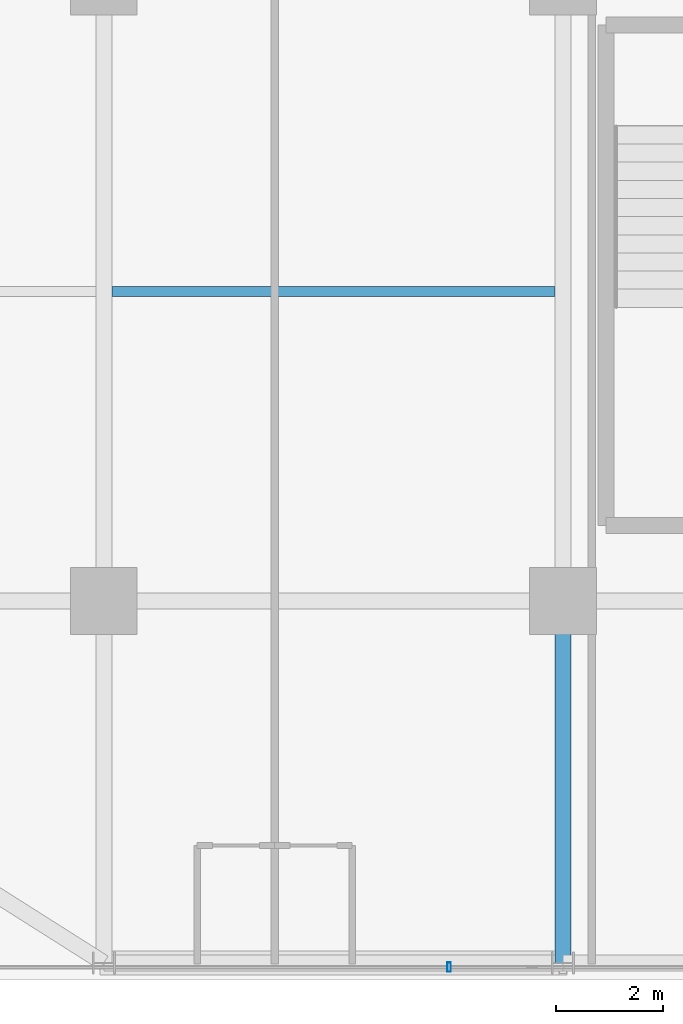
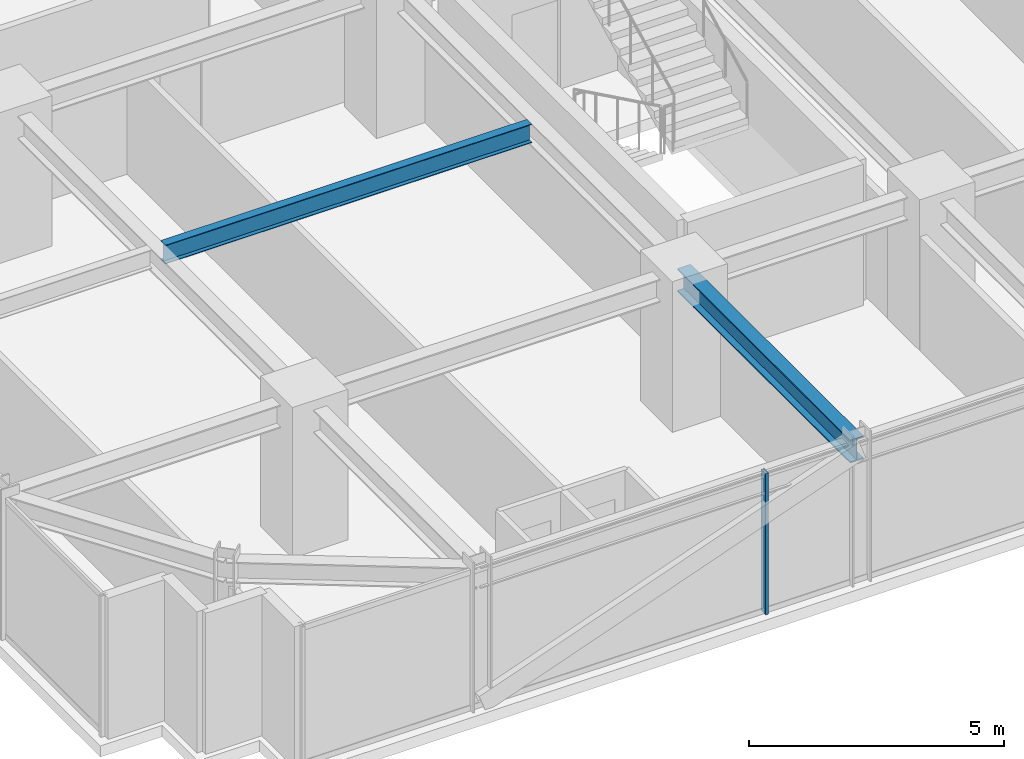
# One storey, part 5 of 35: 2 beams, 1 member, 1 element without a shape of its own.
"""IFC4 building model written with IfcOpenShell, lengths in metres."""

import ifcopenshell
import ifcopenshell.guid

model = None  # the IFC model being written
_history = None  # IfcOwnerHistory: only IFC2X3 demands one
_inside = {}  # id of a spatial element -> (the spatial element, [elements in it])
_under = {}  # id of a project, library or spatial element -> (it, [spatial elements below it])
_declared = {}  # id of a project -> (the project, [libraries it declares])
_typed = {}  # id of a type object -> (the type object, [elements of that type])
_made_of = {}  # id of a material, layer set ... -> (it, [elements and type objects made of it])


def new_model(schema):
    """Start an empty IFC model of exactly this schema.

    Asked for "IFC4X3", IfcOpenShell would pick the latest addendum, in which some entities
    have other attributes; the version numbers below select the first issue.
    IFC2X3 requires an IfcOwnerHistory on every rooted entity: one is made here for all.
    """
    global model, _history
    if schema == "IFC4X3":
        model = ifcopenshell.file(schema_version=(4, 3, 0, 0))
    else:
        model = ifcopenshell.file(schema=schema)
    _inside.clear()
    _under.clear()
    _declared.clear()
    _typed.clear()
    _made_of.clear()
    _history = None
    if model.schema == "IFC2X3":
        org = make("IfcOrganization", Name="unknown")
        user = make(
            "IfcPersonAndOrganization",
            ThePerson=make("IfcPerson", FamilyName="unknown"),
            TheOrganization=org,
        )
        app = make(
            "IfcApplication",
            ApplicationDeveloper=org,
            Version="unknown",
            ApplicationFullName="unknown",
            ApplicationIdentifier="unknown",
        )
        _history = make(
            "IfcOwnerHistory",
            OwningUser=user,
            OwningApplication=app,
            ChangeAction="ADDED",
            CreationDate=0,
        )
    return model


def make(cls, **values):
    """One entity of the class cls with the attributes given. An attribute that is None is left unset."""
    return model.create_entity(
        cls, **{name: value for name, value in values.items() if value is not None}
    )


def rooted(cls, **values):
    """An entity with a GlobalId (a new one), such as an element, a storey or a relation."""
    return make(cls, GlobalId=ifcopenshell.guid.new(), OwnerHistory=_history, **values)


def si_unit(unit_type, name, prefix=None):
    """IfcSIUnit, for example si_unit("LENGTHUNIT", "METRE", prefix="MILLI")."""
    return make("IfcSIUnit", UnitType=unit_type, Prefix=prefix, Name=name)


def assignment(units):
    """IfcUnitAssignment: the units of a project."""
    return None if units is None else make("IfcUnitAssignment", Units=units)


def point(xyz):
    """IfcCartesianPoint."""
    return None if xyz is None else make("IfcCartesianPoint", Coordinates=xyz)


def direction(xyz):
    """IfcDirection."""
    return None if xyz is None else make("IfcDirection", DirectionRatios=xyz)


def frame(location, z_axis=None, x_axis=None):
    """IfcAxis2Placement3D, a coordinate frame: its origin and axes. An axis left out is left unset."""
    return make(
        "IfcAxis2Placement3D",
        Location=point(location),
        Axis=direction(z_axis),
        RefDirection=direction(x_axis),
    )


def frame_2d(location, x_axis=None):
    """IfcAxis2Placement2D, a coordinate frame in the plane: its origin and x axis."""
    return make(
        "IfcAxis2Placement2D", Location=point(location), RefDirection=direction(x_axis)
    )


def origin():
    """The frame at (0, 0, 0) with its axes left unset."""
    return frame((0.0, 0.0, 0.0))


def origin_2d():
    """The frame at (0, 0) in the plane with its x axis left unset."""
    return frame_2d((0.0, 0.0))


def place(relative_to, where):
    """IfcLocalPlacement: puts the frame where relative to a parent placement (None: the world)."""
    return make(
        "IfcLocalPlacement", PlacementRelTo=relative_to, RelativePlacement=where
    )


def context(
    kind, dimensions, precision=None, world=None, true_north=None, identifier=None
):
    """IfcGeometricRepresentationContext, for example the 3D "Model" context."""
    return make(
        "IfcGeometricRepresentationContext",
        ContextIdentifier=identifier,
        ContextType=kind,
        CoordinateSpaceDimension=dimensions,
        Precision=precision,
        WorldCoordinateSystem=world,
        TrueNorth=true_north,
    )


def subcontext(parent, identifier, kind, view, scale=None):
    """IfcGeometricRepresentationSubContext, for example "Body" below "Model"."""
    return make(
        "IfcGeometricRepresentationSubContext",
        ContextIdentifier=identifier,
        ContextType=kind,
        ParentContext=parent,
        TargetScale=scale,
        TargetView=view,
    )


def project(units=None, contexts=None):
    """IfcProject with its units and contexts."""
    return rooted(
        "IfcProject",
        Name="project",
        RepresentationContexts=contexts,
        UnitsInContext=assignment(units),
    )


def spatial(cls, under=None, at=None, **own):
    """A site, building, storey or space (cls), placed at a placement, below another one or the project."""
    s = rooted(cls, ObjectPlacement=at, **own)
    if under is not None:
        _under.setdefault(under.id(), (under, []))[1].append(s)
    return s


def profile(cls, at=None, kind="AREA", **sizes):
    """A parametric profile (cls). Its sizes go by their IFC names, for example OverallWidth=200.0."""
    return make(cls, ProfileType=kind, Position=at, **sizes)


def hollow_rectangle(**sizes):
    """IfcRectangleHollowProfileDef."""
    return profile("IfcRectangleHollowProfileDef", **sizes)


def i_section(**sizes):
    """IfcIShapeProfileDef."""
    return profile("IfcIShapeProfileDef", **sizes)


def extrude(swept, where, along, depth):
    """IfcExtrudedAreaSolid: the profile swept, set in the frame where, extruded along a direction by depth."""
    return make(
        "IfcExtrudedAreaSolid",
        SweptArea=swept,
        Position=where,
        ExtrudedDirection=direction(along),
        Depth=depth,
    )


def shape(context_of_items, identifier, shape_type, items):
    """IfcShapeRepresentation: the items that make up one representation, for example the "Body"."""
    return make(
        "IfcShapeRepresentation",
        ContextOfItems=context_of_items,
        RepresentationIdentifier=identifier,
        RepresentationType=shape_type,
        Items=items,
    )


def source(mapping_origin, context_of_items, identifier, shape_type, items):
    """IfcRepresentationMap: a shape defined once, which mapped items show again and again."""
    return make(
        "IfcRepresentationMap",
        MappingOrigin=mapping_origin,
        MappedRepresentation=shape(context_of_items, identifier, shape_type, items),
    )


def transform(
    local_origin,
    x_axis=None,
    y_axis=None,
    z_axis=None,
    scale=None,
    scale2=None,
    scale3=None,
    uniform=True,
):
    """IfcCartesianTransformationOperator3D, or its non-uniform kind. x_axis, y_axis, z_axis: its Axis1, 2, 3."""
    if uniform:
        return make(
            "IfcCartesianTransformationOperator3D",
            Axis1=direction(x_axis),
            Axis2=direction(y_axis),
            LocalOrigin=point(local_origin),
            Scale=scale,
            Axis3=direction(z_axis),
        )
    return make(
        "IfcCartesianTransformationOperator3DnonUniform",
        Axis1=direction(x_axis),
        Axis2=direction(y_axis),
        LocalOrigin=point(local_origin),
        Scale=scale,
        Axis3=direction(z_axis),
        Scale2=scale2,
        Scale3=scale3,
    )


def mapped(mapping_source, mapping_target):
    """IfcMappedItem: shows the shape of a source again, moved by a transform."""
    return make(
        "IfcMappedItem", MappingSource=mapping_source, MappingTarget=mapping_target
    )


def material(Name=None, Category=None):
    """IfcMaterial."""
    return make("IfcMaterial", Name=Name, Category=Category)


def material_profile(
    of_material, cross_section, Name=None, Category=None, Priority=None
):
    """IfcMaterialProfile: a cross section and its material."""
    return make(
        "IfcMaterialProfile",
        Name=Name,
        Material=of_material,
        Profile=cross_section,
        Priority=Priority,
        Category=Category,
    )


def profile_set(profiles, Name=None, composite=None):
    """IfcMaterialProfileSet."""
    return make(
        "IfcMaterialProfileSet",
        Name=Name,
        MaterialProfiles=profiles,
        CompositeProfile=composite,
    )


def made_of(thing, what):
    """Note that an element or type object is made of a material, layer set ...; save() writes the relation."""
    if what is not None:
        _made_of.setdefault(what.id(), (what, []))[1].append(thing)
    return thing


def type_object(cls, material=None, **own):
    """A type object (cls), such as IfcWallType, which elements share."""
    return made_of(rooted(cls, **own), material)


def element(
    cls,
    number,
    at=None,
    inside=None,
    cuts=None,
    type_object=None,
    material=None,
    context=None,
    identifier="Body",
    shape_type=None,
    held_by="IfcProductDefinitionShape",
    body=None,
    shapes=None,
    **own,
):
    """One element of the class cls, such as IfcWall. Its Tag is "e" and its number.

    at: its placement. inside: the storey or other place that contains it. cuts: it is an
    opening in that element (IfcRelVoidsElement). A single representation is given by context,
    identifier, shape_type and body (its items); several are given by shapes. held_by: the class
    of the entity that holds the representations. save() writes the other relations.
    """
    e = rooted(cls, Tag="e%d" % number, ObjectPlacement=at, **own)
    if body is not None:
        shapes = [shape(context, identifier, shape_type, body)]
    if shapes is not None:
        e.Representation = make(held_by, Representations=shapes)
    if inside is not None:
        _inside.setdefault(inside.id(), (inside, []))[1].append(e)
    if cuts is not None:
        rooted(
            "IfcRelVoidsElement", RelatingBuildingElement=cuts, RelatedOpeningElement=e
        )
    if type_object is not None:
        _typed.setdefault(type_object.id(), (type_object, []))[1].append(e)
    return made_of(e, material)


def aggregate(whole, parts):
    """IfcRelAggregates: a whole, such as a stair, and the parts it consists of."""
    return rooted("IfcRelAggregates", RelatingObject=whole, RelatedObjects=parts)


def save(model, path):
    """Write the relations noted so far, then the file.

    IfcRelAggregates (storeys below a building ...), IfcRelContainedInSpatialStructure (elements
    in a storey), IfcRelDefinesByType, IfcRelAssociatesMaterial and IfcRelDeclares: one each for
    every whole, place, type object, material and project.
    """
    for whole, parts in _under.values():
        aggregate(whole, parts)
    for where, things in _inside.values():
        rooted(
            "IfcRelContainedInSpatialStructure",
            RelatedElements=things,
            RelatingStructure=where,
        )
    for kind, things in _typed.values():
        rooted("IfcRelDefinesByType", RelatedObjects=things, RelatingType=kind)
    for what, things in _made_of.values():
        rooted("IfcRelAssociatesMaterial", RelatedObjects=things, RelatingMaterial=what)
    for by, libraries in _declared.values():
        rooted("IfcRelDeclares", RelatingContext=by, RelatedDefinitions=libraries)
    model.write(path)


model = new_model("IFC4")

# Units and contexts
model_context = context("Model", 3, precision=1e-05, world=origin(), true_north=direction((0.0, 1.0)))
body_context = subcontext(model_context, "Body", "Model", "MODEL_VIEW")
ifc_project = project(units=[si_unit("LENGTHUNIT", "METRE"), si_unit("AREAUNIT", "SQUARE_METRE"), si_unit("VOLUMEUNIT", "CUBIC_METRE"), si_unit("PLANEANGLEUNIT", "RADIAN"), si_unit("MASSUNIT", "GRAM", prefix="KILO")], contexts=[model_context])

# Site, building, storey
site_placement = place(None, origin())
site = spatial("IfcSite", under=ifc_project, at=site_placement, CompositionType="ELEMENT")
building_placement = place(site_placement, origin())
building = spatial("IfcBuilding", under=site, at=building_placement, Name="Nahalor Promenade Grand Hotel", CompositionType="ELEMENT")
storey_placement = place(building_placement, frame((0.0, 0.0, 106.550048828125)))
storey = spatial("IfcBuildingStorey", under=building, at=storey_placement, Name="L26", CompositionType="ELEMENT", Elevation=106.550048828125)

# Beams
ifc_material_1 = material(Name="Steel S355JR", Category="steel")
ifc_material_profile_1 = material_profile(ifc_material_1, i_section(OverallWidth=0.3, OverallDepth=0.55, WebThickness=0.015, FlangeThickness=0.029, at=origin_2d()), Name="HEB 550")
ifc_profile_set_1 = profile_set([ifc_material_profile_1], Name="Steel S355JR")
beam_type_1 = type_object("IfcBeamType", Name="Beam-Girder-HEB550", PredefinedType="BEAM", material=ifc_profile_set_1)
shared_shape_1 = source(origin(), body_context, "Body", "SweptSolid", [
    extrude(i_section(OverallWidth=0.3, OverallDepth=0.55, WebThickness=0.015, FlangeThickness=0.029, at=origin_2d()), origin(), (0.0, 0.0, 1.0), 6.780029296875),
])
beam_1_placement = place(storey_placement, frame((-8.39990234375, -23.780029296875, 3.10498046875), z_axis=(0.0, 1.0, 0.0), x_axis=(-1.0, 0.0, 0.0)))
element("IfcBeam", 1, at=beam_1_placement, inside=storey, type_object=beam_type_1, Name="BM-L26-GY-1-0", PredefinedType="BEAM", context=body_context, shape_type="MappedRepresentation", body=[
    mapped(shared_shape_1, transform((0.0, 0.0, 0.0), scale=1.0)),
])
ifc_material_profile_2 = material_profile(ifc_material_1, i_section(OverallWidth=0.19, OverallDepth=0.45, WebThickness=0.0094, FlangeThickness=0.0146, at=origin_2d()), Name="IPE 450")
ifc_profile_set_2 = profile_set([ifc_material_profile_2], Name="Steel S355JR")
beam_type_2 = type_object("IfcBeamType", Name="Beam-Joist-IPE450", PredefinedType="JOIST", material=ifc_profile_set_2)
shared_shape_2 = source(origin(), body_context, "Body", "SweptSolid", [
    extrude(i_section(OverallWidth=0.19, OverallDepth=0.45, WebThickness=0.0094, FlangeThickness=0.0146, at=origin_2d()), origin(), (0.0, 0.0, 1.0), 8.300048828125),
])
beam_2_placement = place(storey_placement, frame((-16.85009765625, -11.199951171875, 3.155029296875), z_axis=(1.0, 0.0, 0.0), x_axis=(0.0, 1.0, 0.0)))
element("IfcBeam", 2, at=beam_2_placement, inside=storey, type_object=beam_type_2, Name="BM-L26-JSW-0-1", PredefinedType="JOIST", context=body_context, shape_type="MappedRepresentation", body=[
    mapped(shared_shape_2, transform((0.0, 0.0, 0.0), scale=1.0)),
])

# Curtain wall, member
ifc_material_2 = material(Name="Anodised Bronze Aluminium EN AW-6063 T6", Category="aluminium")
curtain_wall_type = type_object("IfcCurtainWallType", Name="CW2 Typical Hotel Flush Bronze Unitised Curtain Wall", PredefinedType="USERDEFINED", material=ifc_material_2)
curtain_wall_placement = place(storey_placement, origin())
curtain_wall = element("IfcCurtainWall", 3, at=curtain_wall_placement, inside=storey, type_object=curtain_wall_type, Name="L26 Curtain Wall CW-L26-S-1", ObjectType="UNITISED_CURTAIN_WALL", PredefinedType="USERDEFINED")
ifc_material_profile_3 = material_profile(ifc_material_2, hollow_rectangle(XDim=0.065, YDim=0.18, WallThickness=0.004, at=origin_2d()), Name="CWM 65x180x4")
ifc_profile_set_3 = profile_set([ifc_material_profile_3], Name="Anodised Bronze Aluminium EN AW-6063 T6")
member_type = type_object("IfcMemberType", Name="CWM2 Typical Bronze Mullion 65x180", PredefinedType="MULLION", material=ifc_profile_set_3)
shared_shape_3 = source(origin(), body_context, "Body", "SweptSolid", [
    extrude(hollow_rectangle(XDim=0.065, YDim=0.18, WallThickness=0.004, at=origin_2d()), origin(), (0.0, 0.0, 1.0), 3.3798828125),
])
member_placement = place(storey_placement, frame((-10.530029296875, -23.860107421875, 0.0), z_axis=(0.0, 0.0, 1.0), x_axis=(1.0, 0.0, 0.0)))
member = element("IfcMember", 4, at=member_placement, type_object=member_type, Name="CW-L26-S-1 Mullion 1", PredefinedType="MULLION", context=body_context, shape_type="MappedRepresentation", body=[
    mapped(shared_shape_3, transform((0.0, 0.0, 0.0), scale=1.0)),
])
aggregate(curtain_wall, [member])

save(model, "model.ifc")
